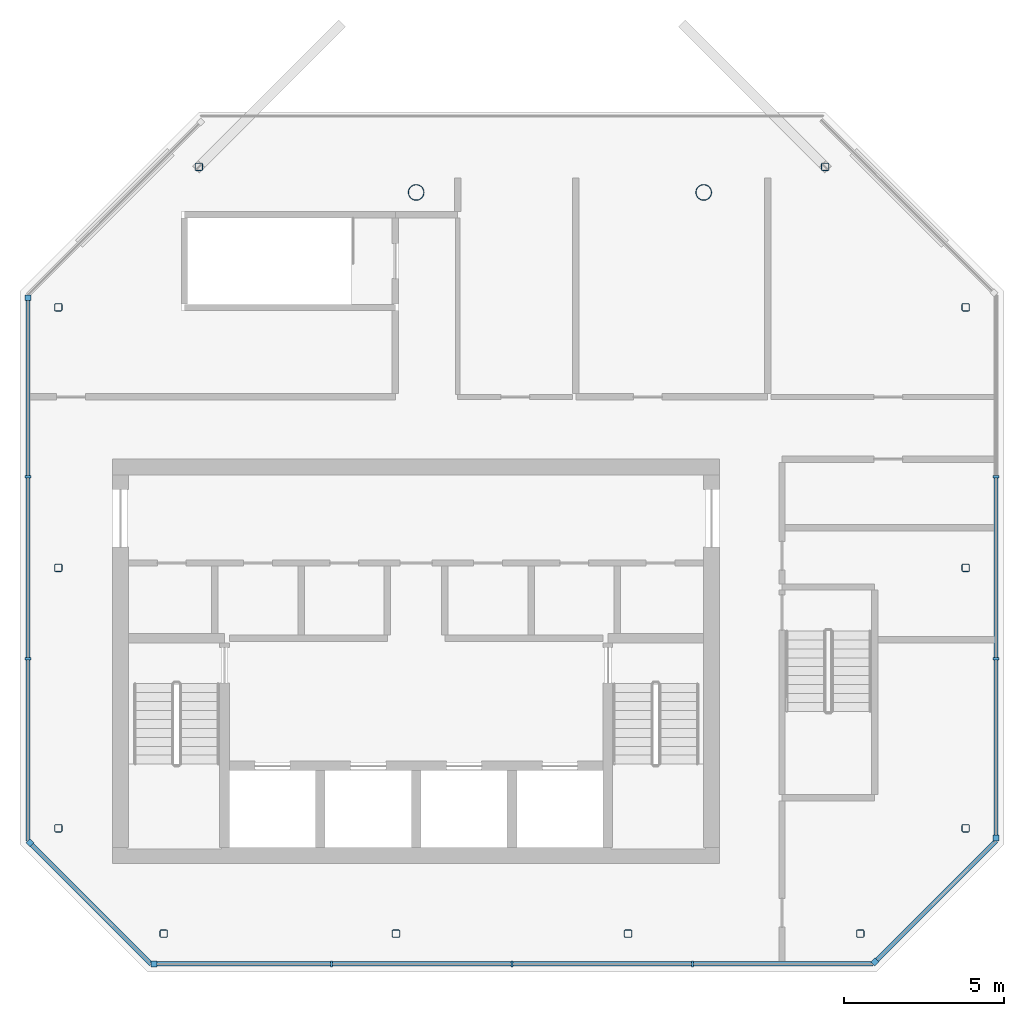
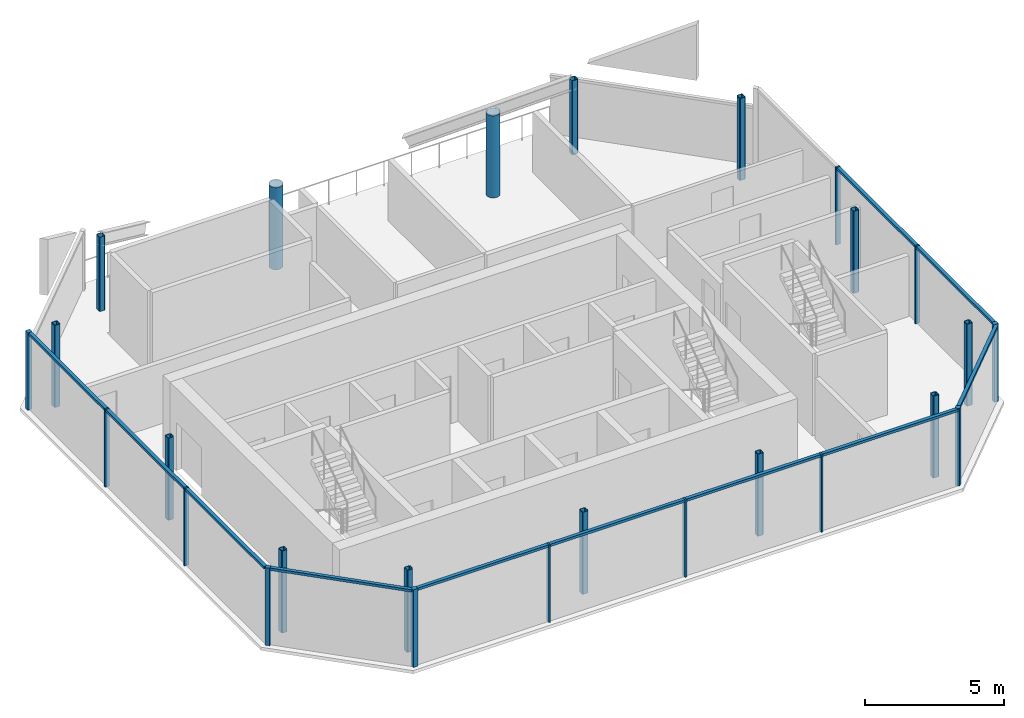
# One storey, part 1 of 5: 23 members, 14 columns, 5 elements without a shape of their own.
"""IFC4 building model written with IfcOpenShell, lengths in metres."""

from ifc_helpers import new_model, si_unit, direction, frame, origin, origin_2d, place, context, subcontext, project, spatial, rectangle, hollow_rectangle, hollow_circle, extrude, material, material_profile, profile_set, type_object, element, aggregate, save


model = new_model("IFC4")

# Units and contexts
model_context = context("Model", 3, precision=1e-05, world=origin(), true_north=direction((0.0, 1.0)))
body_context = subcontext(model_context, "Body", "Model", "MODEL_VIEW")
ifc_project = project(units=[si_unit("LENGTHUNIT", "METRE"), si_unit("AREAUNIT", "SQUARE_METRE"), si_unit("VOLUMEUNIT", "CUBIC_METRE"), si_unit("PLANEANGLEUNIT", "RADIAN"), si_unit("MASSUNIT", "GRAM", prefix="KILO")], contexts=[model_context])

# Site, building, storey
site_placement = place(None, origin())
site = spatial("IfcSite", under=ifc_project, at=site_placement, CompositionType="ELEMENT")
building_placement = place(site_placement, origin())
building = spatial("IfcBuilding", under=site, at=building_placement, Name="Tskaro Facet Tower", CompositionType="ELEMENT")
storey_placement = place(building_placement, frame((0.0, 0.0, 300.89990234375)))
storey = spatial("IfcBuildingStorey", under=building, at=storey_placement, Name="L81", CompositionType="ELEMENT", Elevation=300.89990234375)

# Columns
ifc_material_1 = material(Name="Steel S355J2H", Category="steel")
ifc_material_profile_1 = material_profile(ifc_material_1, hollow_circle(Radius=0.25390625, WallThickness=0.02490234375, at=origin_2d()), Name="CHS 508x25")
ifc_profile_set_1 = profile_set([ifc_material_profile_1], Name="Steel S355J2H")
column_type_1 = type_object("IfcColumnType", Name="CHS 508x25 interior column", PredefinedType="COLUMN", material=ifc_profile_set_1)
for number, where, z_axis, x_axis, name in (
    (1, (0.0, 9.0, 0.0), (0.0, 0.0, 1.0), (1.0, 0.0, 0.0), "CHS 508x25 C4E/6"),
    (2, (9.0, 9.0, 0.0), (0.0, 0.0, 1.0), (1.0, 0.0, 0.0), "CHS 508x25 C5E/6"),
):
    element("IfcColumn", number, at=place(storey_placement, frame(where, z_axis=z_axis, x_axis=x_axis)), inside=storey, type_object=column_type_1, Name=name, PredefinedType="COLUMN", context=body_context, shape_type="SweptSolid", body=[
        extrude(hollow_circle(Radius=0.25390625, WallThickness=0.02490234375, at=origin_2d()), origin(), (0.0, 0.0, 1.0), 3.60009765625),
    ])
ifc_material_profile_2 = material_profile(ifc_material_1, hollow_rectangle(XDim=0.25, YDim=0.25, WallThickness=0.02001953125, InnerFilletRadius=0.030029296875, OuterFilletRadius=0.050048828125, at=origin_2d()), Name="SHS 250x250x20")
ifc_profile_set_2 = profile_set([ifc_material_profile_2], Name="Steel S355J2H")
column_type_2 = type_object("IfcColumnType", Name="SHS 250x250x20 ring column", PredefinedType="COLUMN", material=ifc_profile_set_2)
for number, where, z_axis, x_axis, name in (
    (3, (-7.903076171875, -14.199951171875, 0.0), (0.0, 0.0, 1.0), (1.0, 0.0, 0.0), "SHS 250x250x20 RS-1/6"),
    (4, (-0.634033203125, -14.199951171875, 0.0), (0.0, 0.0, 1.0), (1.0, 0.0, 0.0), "SHS 250x250x20 RS-2/6"),
    (5, (6.634033203125, -14.199951171875, 0.0), (0.0, 0.0, 1.0), (1.0, 0.0, 0.0), "SHS 250x250x20 RS-3/6"),
    (6, (13.903076171875, -14.199951171875, 0.0), (0.0, 0.0, 1.0), (1.0, 0.0, 0.0), "SHS 250x250x20 RSE-1/6"),
    (7, (17.199951171875, -10.903076171875, 0.0), (0.0, 0.0, 1.0), (1.0, 0.0, 0.0), "SHS 250x250x20 RE-1/6"),
    (8, (17.199951171875, -2.75, 0.0), (0.0, 0.0, 1.0), (1.0, 0.0, 0.0), "SHS 250x250x20 RE-2/6"),
    (9, (17.199951171875, 5.403076171875, 0.0), (0.0, 0.0, 1.0), (1.0, 0.0, 0.0), "SHS 250x250x20 RNE-1/6"),
):
    element("IfcColumn", number, at=place(storey_placement, frame(where, z_axis=z_axis, x_axis=x_axis)), inside=storey, type_object=column_type_2, Name=name, PredefinedType="COLUMN", context=body_context, shape_type="SweptSolid", body=[
        extrude(hollow_rectangle(XDim=0.25, YDim=0.25, WallThickness=0.02001953125, InnerFilletRadius=0.030029296875, OuterFilletRadius=0.050048828125, at=origin_2d()), origin(), (0.0, 0.0, 1.0), 3.60009765625),
    ])
column_1_placement = place(storey_placement, frame((12.802001953125, 9.802001953125, 0.0), z_axis=(0.0, 0.0, 1.0), x_axis=(1.0, 0.0, 0.0)))
element("IfcColumn", 10, at=column_1_placement, inside=storey, type_object=column_type_2, Name="SHS 250x250x20 RNE-2/6", PredefinedType="COLUMN", context=body_context, shape_type="SweptSolid", body=[
    extrude(hollow_rectangle(XDim=0.25, YDim=0.25, WallThickness=0.02001953125, InnerFilletRadius=0.030029296875, OuterFilletRadius=0.050048828125, at=origin_2d()), origin(), (0.0, 0.0, 1.0), 3.2529296875),
])
column_2_placement = place(storey_placement, frame((-6.801025390625, 9.801025390625, 0.0), z_axis=(0.0, 0.0, 1.0), x_axis=(1.0, 0.0, 0.0)))
element("IfcColumn", 11, at=column_2_placement, inside=storey, type_object=column_type_2, Name="SHS 250x250x20 RNW-2/6", PredefinedType="COLUMN", context=body_context, shape_type="SweptSolid", body=[
    extrude(hollow_rectangle(XDim=0.25, YDim=0.25, WallThickness=0.02001953125, InnerFilletRadius=0.030029296875, OuterFilletRadius=0.050048828125, at=origin_2d()), origin(), (0.0, 0.0, 1.0), 3.253662109375),
])
for number, where, z_axis, x_axis, name in (
    (12, (-11.199951171875, 5.403076171875, 0.0), (0.0, 0.0, 1.0), (1.0, 0.0, 0.0), "SHS 250x250x20 RW-1/6"),
    (13, (-11.199951171875, -2.75, 0.0), (0.0, 0.0, 1.0), (1.0, 0.0, 0.0), "SHS 250x250x20 RW-2/6"),
    (14, (-11.199951171875, -10.903076171875, 0.0), (0.0, 0.0, 1.0), (1.0, 0.0, 0.0), "SHS 250x250x20 RSW-1/6"),
):
    element("IfcColumn", number, at=place(storey_placement, frame(where, z_axis=z_axis, x_axis=x_axis)), inside=storey, type_object=column_type_2, Name=name, PredefinedType="COLUMN", context=body_context, shape_type="SweptSolid", body=[
        extrude(hollow_rectangle(XDim=0.25, YDim=0.25, WallThickness=0.02001953125, InnerFilletRadius=0.030029296875, OuterFilletRadius=0.050048828125, at=origin_2d()), origin(), (0.0, 0.0, 1.0), 3.60009765625),
    ])

# Curtain wall, member
ifc_material_2 = material(Name="Bronze anodised aluminium 6063-T6", Category="aluminium")
curtain_wall_type = type_object("IfcCurtainWallType", Name="Bronze crown curtain wall (FW5)", PredefinedType="NOTDEFINED", material=ifc_material_2)
curtain_wall_1_placement = place(storey_placement, origin())
curtain_wall_1 = element("IfcCurtainWall", 15, at=curtain_wall_1_placement, inside=storey, type_object=curtain_wall_type, Name="FW5 south facet L81", PredefinedType="NOTDEFINED")
ifc_material_profile_3 = material_profile(ifc_material_2, rectangle(XDim=0.179931640625, YDim=0.179931640625, at=origin_2d()), Name="Corner post 180x180")
ifc_profile_set_3 = profile_set([ifc_material_profile_3], Name="Bronze anodised aluminium 6063-T6")
member_type_1 = type_object("IfcMemberType", Name="FW5 bronze corner post 180x180", PredefinedType="MULLION", material=ifc_profile_set_3)
member_1_placement = place(storey_placement, frame((-8.2060546875, -15.14990234375, 0.0), z_axis=(0.0, 0.0, 1.0), x_axis=(1.0, 0.0, 0.0)))
member_1 = element("IfcMember", 16, at=member_1_placement, type_object=member_type_1, Name="FW5 south corner post", PredefinedType="MULLION", context=body_context, shape_type="SweptSolid", body=[
    extrude(rectangle(XDim=0.179931640625, YDim=0.179931640625, at=origin_2d()), origin(), (0.0, 0.0, 1.0), 3.400146484375),
])

curtain_wall_2_placement = place(storey_placement, origin())
curtain_wall_2 = element("IfcCurtainWall", 17, at=curtain_wall_2_placement, inside=storey, type_object=curtain_wall_type, Name="FW5 south-east facet L81", PredefinedType="NOTDEFINED")
member_2_placement = place(storey_placement, frame((14.359619140625, -15.08642578125, 0.0), z_axis=(0.0, 0.0, 1.0), x_axis=(0.707106781187, 0.707106781187, 0.0)))
member_2 = element("IfcMember", 18, at=member_2_placement, type_object=member_type_1, Name="FW5 south-east corner post", PredefinedType="MULLION", context=body_context, shape_type="SweptSolid", body=[
    extrude(rectangle(XDim=0.179931640625, YDim=0.179931640625, at=origin_2d()), origin(), (0.0, 0.0, 1.0), 3.400146484375),
])

curtain_wall_3_placement = place(storey_placement, origin())
curtain_wall_3 = element("IfcCurtainWall", 19, at=curtain_wall_3_placement, inside=storey, type_object=curtain_wall_type, Name="FW5 east facet L81", PredefinedType="NOTDEFINED")
member_3_placement = place(storey_placement, frame((18.14990234375, -11.2060546875, 0.0), z_axis=(0.0, 0.0, 1.0), x_axis=(0.0, 1.0, 0.0)))
member_3 = element("IfcMember", 20, at=member_3_placement, type_object=member_type_1, Name="FW5 east corner post", PredefinedType="MULLION", context=body_context, shape_type="SweptSolid", body=[
    extrude(rectangle(XDim=0.179931640625, YDim=0.179931640625, at=origin_2d()), origin(), (0.0, 0.0, 1.0), 3.400146484375),
])

curtain_wall_4_placement = place(storey_placement, origin())
curtain_wall_4 = element("IfcCurtainWall", 21, at=curtain_wall_4_placement, inside=storey, type_object=curtain_wall_type, Name="FW5 west facet L81", PredefinedType="NOTDEFINED")
member_4_placement = place(storey_placement, frame((-12.14990234375, 5.7060546875, 0.0), z_axis=(0.0, 0.0, 1.0), x_axis=(0.0, -1.0, 0.0)))
member_4 = element("IfcMember", 22, at=member_4_placement, type_object=member_type_1, Name="FW5 west corner post", PredefinedType="MULLION", context=body_context, shape_type="SweptSolid", body=[
    extrude(rectangle(XDim=0.179931640625, YDim=0.179931640625, at=origin_2d()), origin(), (0.0, 0.0, 1.0), 3.400146484375),
])

curtain_wall_5_placement = place(storey_placement, origin())
curtain_wall_5 = element("IfcCurtainWall", 23, at=curtain_wall_5_placement, inside=storey, type_object=curtain_wall_type, Name="FW5 south-west facet L81", PredefinedType="NOTDEFINED")
member_5_placement = place(storey_placement, frame((-12.08642578125, -11.359619140625, 0.0), z_axis=(0.0, 0.0, 1.0), x_axis=(0.707106781187, -0.707106781187, 0.0)))
member_5 = element("IfcMember", 24, at=member_5_placement, type_object=member_type_1, Name="FW5 south-west corner post", PredefinedType="MULLION", context=body_context, shape_type="SweptSolid", body=[
    extrude(rectangle(XDim=0.179931640625, YDim=0.179931640625, at=origin_2d()), origin(), (0.0, 0.0, 1.0), 3.400146484375),
])

# Member
ifc_material_profile_4 = material_profile(ifc_material_2, rectangle(XDim=0.070068359375, YDim=0.179931640625, at=origin_2d()), Name="Mullion 70x180")
ifc_profile_set_4 = profile_set([ifc_material_profile_4], Name="Bronze anodised aluminium 6063-T6")
member_type_2 = type_object("IfcMemberType", Name="FW5 bronze mullion 70x180", PredefinedType="MULLION", material=ifc_profile_set_4)
member_6_placement = place(storey_placement, frame((-2.64794921875, -15.14990234375, 0.0), z_axis=(0.0, 0.0, 1.0), x_axis=(1.0, 0.0, 0.0)))
member_6 = element("IfcMember", 25, at=member_6_placement, type_object=member_type_2, Name="FW5 south mullion 1", PredefinedType="MULLION", context=body_context, shape_type="SweptSolid", body=[
    extrude(rectangle(XDim=0.070068359375, YDim=0.179931640625, at=origin_2d()), origin(), (0.0, 0.0, 1.0), 3.400146484375),
])

member_7_placement = place(storey_placement, frame((3.0, -15.14990234375, 0.0), z_axis=(0.0, 0.0, 1.0), x_axis=(1.0, 0.0, 0.0)))
member_7 = element("IfcMember", 26, at=member_7_placement, type_object=member_type_2, Name="FW5 south mullion 2", PredefinedType="MULLION", context=body_context, shape_type="SweptSolid", body=[
    extrude(rectangle(XDim=0.070068359375, YDim=0.179931640625, at=origin_2d()), origin(), (0.0, 0.0, 1.0), 3.400146484375),
])

member_8_placement = place(storey_placement, frame((8.64794921875, -15.14990234375, 0.0), z_axis=(0.0, 0.0, 1.0), x_axis=(1.0, 0.0, 0.0)))
member_8 = element("IfcMember", 27, at=member_8_placement, type_object=member_type_2, Name="FW5 south mullion 3", PredefinedType="MULLION", context=body_context, shape_type="SweptSolid", body=[
    extrude(rectangle(XDim=0.070068359375, YDim=0.179931640625, at=origin_2d()), origin(), (0.0, 0.0, 1.0), 3.400146484375),
])

member_9_placement = place(storey_placement, frame((18.14990234375, -5.5986328125, 0.0), z_axis=(0.0, 0.0, 1.0), x_axis=(0.0, 1.0, 0.0)))
member_9 = element("IfcMember", 28, at=member_9_placement, type_object=member_type_2, Name="FW5 east mullion 1", PredefinedType="MULLION", context=body_context, shape_type="SweptSolid", body=[
    extrude(rectangle(XDim=0.070068359375, YDim=0.179931640625, at=origin_2d()), origin(), (0.0, 0.0, 1.0), 3.400146484375),
])

member_10_placement = place(storey_placement, frame((18.14990234375, 0.0986328125, 0.0), z_axis=(0.0, 0.0, 1.0), x_axis=(0.0, 1.0, 0.0)))
member_10 = element("IfcMember", 29, at=member_10_placement, type_object=member_type_2, Name="FW5 east mullion 2", PredefinedType="MULLION", context=body_context, shape_type="SweptSolid", body=[
    extrude(rectangle(XDim=0.070068359375, YDim=0.179931640625, at=origin_2d()), origin(), (0.0, 0.0, 1.0), 3.400146484375),
])

member_11_placement = place(storey_placement, frame((-12.14990234375, 0.0986328125, 0.0), z_axis=(0.0, 0.0, 1.0), x_axis=(0.0, -1.0, 0.0)))
member_11 = element("IfcMember", 30, at=member_11_placement, type_object=member_type_2, Name="FW5 west mullion 1", PredefinedType="MULLION", context=body_context, shape_type="SweptSolid", body=[
    extrude(rectangle(XDim=0.070068359375, YDim=0.179931640625, at=origin_2d()), origin(), (0.0, 0.0, 1.0), 3.400146484375),
])

member_12_placement = place(storey_placement, frame((-12.14990234375, -5.5986328125, 0.0), z_axis=(0.0, 0.0, 1.0), x_axis=(0.0, -1.0, 0.0)))
member_12 = element("IfcMember", 31, at=member_12_placement, type_object=member_type_2, Name="FW5 west mullion 2", PredefinedType="MULLION", context=body_context, shape_type="SweptSolid", body=[
    extrude(rectangle(XDim=0.070068359375, YDim=0.179931640625, at=origin_2d()), origin(), (0.0, 0.0, 1.0), 3.400146484375),
])

ifc_material_profile_5 = material_profile(ifc_material_2, rectangle(XDim=0.139892578125, YDim=0.110107421875, at=origin_2d()), Name="Transom 140x110")
ifc_profile_set_5 = profile_set([ifc_material_profile_5], Name="Bronze anodised aluminium 6063-T6")
member_type_3 = type_object("IfcMemberType", Name="FW5 bronze transom 140x110", PredefinedType="USERDEFINED", material=ifc_profile_set_5)
member_13_placement = place(storey_placement, frame((-8.115966796875, -15.14990234375, 3.34521484375), z_axis=(1.0, 0.0, 0.0), x_axis=(0.0, 1.0, 0.0)))
member_13 = element("IfcMember", 32, at=member_13_placement, type_object=member_type_3, Name="FW5 south transom 1.1", ObjectType="TRANSOM", PredefinedType="USERDEFINED", context=body_context, shape_type="SweptSolid", body=[
    extrude(rectangle(XDim=0.139892578125, YDim=0.110107421875, at=origin_2d()), origin(), (0.0, 0.0, 1.0), 5.432861328125),
])

member_14_placement = place(storey_placement, frame((-2.613037109375, -15.14990234375, 3.34521484375), z_axis=(1.0, 0.0, 0.0), x_axis=(0.0, 1.0, 0.0)))
member_14 = element("IfcMember", 33, at=member_14_placement, type_object=member_type_3, Name="FW5 south transom 2.1", ObjectType="TRANSOM", PredefinedType="USERDEFINED", context=body_context, shape_type="SweptSolid", body=[
    extrude(rectangle(XDim=0.139892578125, YDim=0.110107421875, at=origin_2d()), origin(), (0.0, 0.0, 1.0), 5.578125),
])

member_15_placement = place(storey_placement, frame((3.034912109375, -15.14990234375, 3.34521484375), z_axis=(1.0, 0.0, 0.0), x_axis=(0.0, 1.0, 0.0)))
member_15 = element("IfcMember", 34, at=member_15_placement, type_object=member_type_3, Name="FW5 south transom 3.1", ObjectType="TRANSOM", PredefinedType="USERDEFINED", context=body_context, shape_type="SweptSolid", body=[
    extrude(rectangle(XDim=0.139892578125, YDim=0.110107421875, at=origin_2d()), origin(), (0.0, 0.0, 1.0), 5.578125),
])

member_16_placement = place(storey_placement, frame((8.68310546875, -15.14990234375, 3.34521484375), z_axis=(1.0, 0.0, 0.0), x_axis=(0.0, 1.0, 0.0)))
member_16 = element("IfcMember", 35, at=member_16_placement, type_object=member_type_3, Name="FW5 south transom 4.1", ObjectType="TRANSOM", PredefinedType="USERDEFINED", context=body_context, shape_type="SweptSolid", body=[
    extrude(rectangle(XDim=0.139892578125, YDim=0.110107421875, at=origin_2d()), origin(), (0.0, 0.0, 1.0), 5.61279296875),
])

aggregate(curtain_wall_1, [member_1, member_6, member_7, member_8, member_13, member_14, member_15, member_16])

member_17_placement = place(storey_placement, frame((14.42333984375, -15.022705078125, 3.34521484375), z_axis=(0.707083619001, 0.707129942613, 0.0), x_axis=(-0.707129942613, 0.707083619001, 0.0)))
member_17 = element("IfcMember", 36, at=member_17_placement, type_object=member_type_3, Name="FW5 south-east transom 1.1", ObjectType="TRANSOM", PredefinedType="USERDEFINED", context=body_context, shape_type="SweptSolid", body=[
    extrude(rectangle(XDim=0.139892578125, YDim=0.110107421875, at=origin_2d()), origin(), (0.0, 0.0, 1.0), 5.270263671875),
])

aggregate(curtain_wall_2, [member_2, member_17])

member_18_placement = place(storey_placement, frame((18.14990234375, -11.115966796875, 3.34521484375), z_axis=(0.0, 1.0, 0.0), x_axis=(-1.0, 0.0, 0.0)))
member_18 = element("IfcMember", 37, at=member_18_placement, type_object=member_type_3, Name="FW5 east transom 1.1", ObjectType="TRANSOM", PredefinedType="USERDEFINED", context=body_context, shape_type="SweptSolid", body=[
    extrude(rectangle(XDim=0.139892578125, YDim=0.110107421875, at=origin_2d()), origin(), (0.0, 0.0, 1.0), 5.482421875),
])

member_19_placement = place(storey_placement, frame((18.14990234375, -5.563720703125, 3.34521484375), z_axis=(0.0, 1.0, 0.0), x_axis=(-1.0, 0.0, 0.0)))
member_19 = element("IfcMember", 38, at=member_19_placement, type_object=member_type_3, Name="FW5 east transom 2.1", ObjectType="TRANSOM", PredefinedType="USERDEFINED", context=body_context, shape_type="SweptSolid", body=[
    extrude(rectangle(XDim=0.139892578125, YDim=0.110107421875, at=origin_2d()), origin(), (0.0, 0.0, 1.0), 5.62744140625),
])

aggregate(curtain_wall_3, [member_3, member_9, member_10, member_18, member_19])

member_20_placement = place(storey_placement, frame((-12.14990234375, 5.615966796875, 3.34521484375), z_axis=(0.0, -1.0, 0.0), x_axis=(1.0, 0.0, 0.0)))
member_20 = element("IfcMember", 39, at=member_20_placement, type_object=member_type_3, Name="FW5 west transom 1.1", ObjectType="TRANSOM", PredefinedType="USERDEFINED", context=body_context, shape_type="SweptSolid", body=[
    extrude(rectangle(XDim=0.139892578125, YDim=0.110107421875, at=origin_2d()), origin(), (0.0, 0.0, 1.0), 5.482421875),
])

member_21_placement = place(storey_placement, frame((-12.14990234375, 0.063720703125, 3.34521484375), z_axis=(0.0, -1.0, 0.0), x_axis=(1.0, 0.0, 0.0)))
member_21 = element("IfcMember", 40, at=member_21_placement, type_object=member_type_3, Name="FW5 west transom 2.1", ObjectType="TRANSOM", PredefinedType="USERDEFINED", context=body_context, shape_type="SweptSolid", body=[
    extrude(rectangle(XDim=0.139892578125, YDim=0.110107421875, at=origin_2d()), origin(), (0.0, 0.0, 1.0), 5.62744140625),
])

member_22_placement = place(storey_placement, frame((-12.14990234375, -5.633544921875, 3.34521484375), z_axis=(0.0, -1.0, 0.0), x_axis=(1.0, 0.0, 0.0)))
member_22 = element("IfcMember", 41, at=member_22_placement, type_object=member_type_3, Name="FW5 west transom 3.1", ObjectType="TRANSOM", PredefinedType="USERDEFINED", context=body_context, shape_type="SweptSolid", body=[
    extrude(rectangle(XDim=0.139892578125, YDim=0.110107421875, at=origin_2d()), origin(), (0.0, 0.0, 1.0), 5.662353515625),
])

aggregate(curtain_wall_4, [member_4, member_11, member_12, member_20, member_21, member_22])

member_23_placement = place(storey_placement, frame((-12.022705078125, -11.42333984375, 3.34521484375), z_axis=(0.707129942613, -0.707083619001, 0.0), x_axis=(0.707083619001, 0.707129942613, 0.0)))
member_23 = element("IfcMember", 42, at=member_23_placement, type_object=member_type_3, Name="FW5 south-west transom 1.1", ObjectType="TRANSOM", PredefinedType="USERDEFINED", context=body_context, shape_type="SweptSolid", body=[
    extrude(rectangle(XDim=0.139892578125, YDim=0.110107421875, at=origin_2d()), origin(), (0.0, 0.0, 1.0), 5.270263671875),
])

aggregate(curtain_wall_5, [member_5, member_23])

save(model, "model.ifc")
